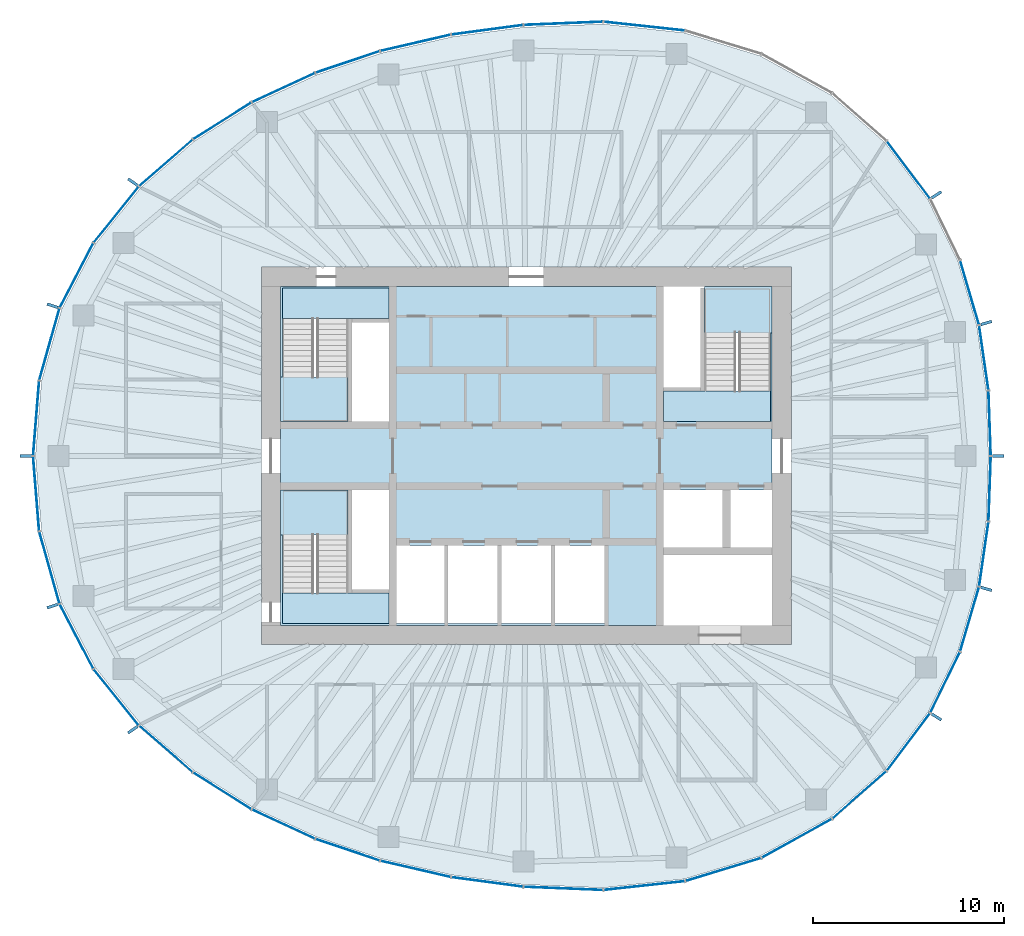
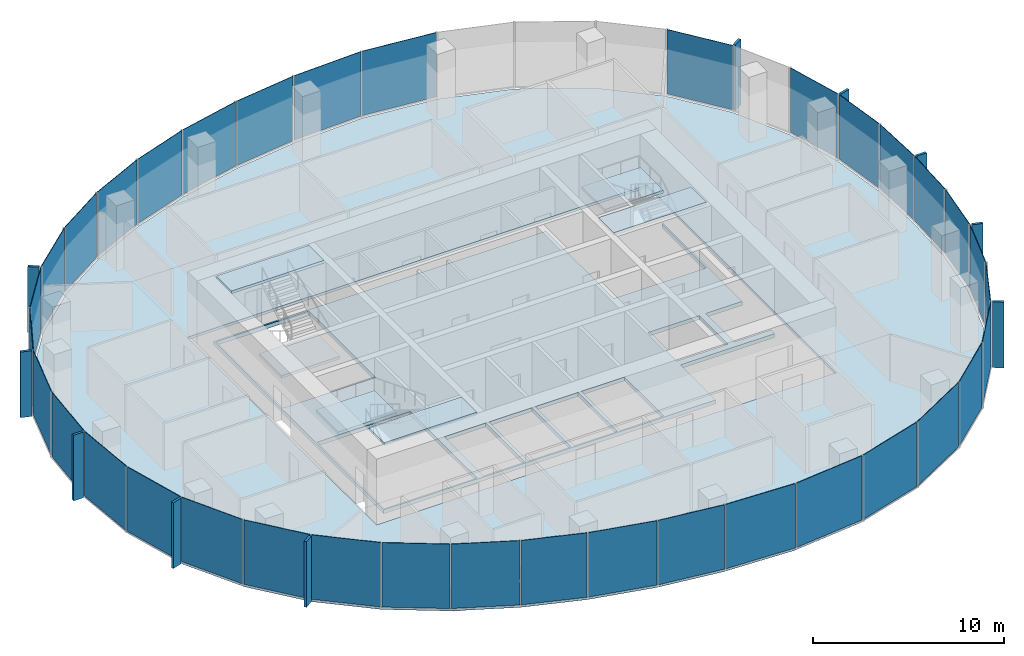
# One storey, part 7 of 12: 46 plates, 8 slabs, 22 elements without a shape of their own.
"""IFC4 building model written with IfcOpenShell, lengths in metres."""

from ifc_helpers import new_model, si_unit, direction, frame, origin, origin_2d, place, context, subcontext, project, spatial, polyline, rectangle, outline, extrude, material, layer, layer_set, type_object, element, aggregate, save


model = new_model("IFC4")

# Units and contexts
model_context = context("Model", 3, precision=1e-05, world=origin(), true_north=direction((0.0, 1.0)))
body_context = subcontext(model_context, "Body", "Model", "MODEL_VIEW")
ifc_project = project(units=[si_unit("LENGTHUNIT", "METRE"), si_unit("AREAUNIT", "SQUARE_METRE"), si_unit("VOLUMEUNIT", "CUBIC_METRE"), si_unit("PLANEANGLEUNIT", "RADIAN"), si_unit("MASSUNIT", "GRAM", prefix="KILO")], contexts=[model_context])

# Site, building, storey
site_placement = place(None, origin())
site = spatial("IfcSite", under=ifc_project, at=site_placement, CompositionType="ELEMENT")
building_placement = place(site_placement, origin())
building = spatial("IfcBuilding", under=site, at=building_placement, Name="Ghaith Harvest Tower", CompositionType="ELEMENT")
storey_placement = place(building_placement, frame((0.0, 0.0, 300.60009765625)))
storey = spatial("IfcBuildingStorey", under=building, at=storey_placement, Name="L67", CompositionType="ELEMENT", Elevation=300.60009765625)

# Curtain wall, plates
ifc_material_1 = material(Name="Black anodised aluminium and fritted glass", Category="aluminium")
curtain_wall_type = type_object("IfcCurtainWallType", Name="CW-T CURTAIN WALL", PredefinedType="NOTDEFINED", material=ifc_material_1)
curtain_wall_1_placement = place(storey_placement, origin())
curtain_wall_1 = element("IfcCurtainWall", 1, at=curtain_wall_1_placement, inside=storey, type_object=curtain_wall_type, Name="Curtain wall CW-T bay 01 L67", PredefinedType="NOTDEFINED")
ifc_material_2 = material(Name="Glass, dark solar-control fritted double glazed unit", Category="glass")
ifc_layer_1 = layer(ifc_material_2, 0.033935546875)
ifc_layer_set_1 = layer_set([ifc_layer_1], Name="CW-T VISION PANEL")
plate_type_1 = type_object("IfcPlateType", Name="CW-T VISION PANEL", PredefinedType="CURTAIN_PANEL", material=ifc_layer_set_1)
plate_1_placement = place(storey_placement, frame((24.308837890625, 1.716796875, 0.079833984375), z_axis=(0.0, 0.0, 1.0), x_axis=(-0.035536161859, 0.999368391135, 0.0)))
plate_1 = element("IfcPlate", 2, at=plate_1_placement, type_object=plate_type_1, Name="CW-T glass unit 1 bay 01 L67", PredefinedType="CURTAIN_PANEL", context=body_context, shape_type="SweptSolid", body=[
    extrude(rectangle(XDim=3.35595703125, YDim=0.033935546875, at=origin_2d()), origin(), (0.0, 0.0, 1.0), 4.1201171875),
])
plate_2_placement = place(storey_placement, frame((24.00048828125, 5.1494140625, 0.079833984375), z_axis=(0.0, 0.0, 1.0), x_axis=(-0.142729771229, 0.989761694755, 0.0)))
plate_2 = element("IfcPlate", 3, at=plate_2_placement, type_object=plate_type_1, Name="CW-T glass unit 2 bay 01 L67", PredefinedType="CURTAIN_PANEL", context=body_context, shape_type="SweptSolid", body=[
    extrude(rectangle(XDim=3.38671875, YDim=0.033935546875, at=origin_2d()), origin(), (0.0, 0.0, 1.0), 4.1201171875),
])
aggregate(curtain_wall_1, [plate_1, plate_2])

# Curtain wall, plate
curtain_wall_2_placement = place(storey_placement, origin())
curtain_wall_2 = element("IfcCurtainWall", 4, at=curtain_wall_2_placement, inside=storey, type_object=curtain_wall_type, Name="Curtain wall CW-T bay 02 L67", PredefinedType="NOTDEFINED")
plate_3_placement = place(storey_placement, frame((23.253662109375, 8.56884765625, 0.079833984375), z_axis=(0.0, 0.0, 1.0), x_axis=(-0.281344622776, 0.959606796159, 0.0)))
plate_3 = element("IfcPlate", 5, at=plate_3_placement, type_object=plate_type_1, Name="CW-T glass unit 1 bay 02 L67", PredefinedType="CURTAIN_PANEL", context=body_context, shape_type="SweptSolid", body=[
    extrude(rectangle(XDim=3.470703125, YDim=0.033935546875, at=origin_2d()), origin(), (0.0, 0.0, 1.0), 4.1201171875),
])
aggregate(curtain_wall_2, [plate_3])

curtain_wall_3_placement = place(storey_placement, origin())
curtain_wall_3 = element("IfcCurtainWall", 6, at=curtain_wall_3_placement, inside=storey, type_object=curtain_wall_type, Name="Curtain wall CW-T bay 03 L67", PredefinedType="NOTDEFINED")
plate_4_placement = place(storey_placement, frame((20.045166015625, 15.006103515625, 0.079833984375), z_axis=(0.0, 0.0, 1.0), x_axis=(-0.601047892764, 0.799213007029, 0.0)))
plate_4 = element("IfcPlate", 7, at=plate_4_placement, type_object=plate_type_1, Name="CW-T glass unit 1 bay 03 L67", PredefinedType="CURTAIN_PANEL", context=body_context, shape_type="SweptSolid", body=[
    extrude(rectangle(XDim=3.7265625, YDim=0.033935546875, at=origin_2d()), origin(), (0.0, 0.0, 1.0), 4.1201171875),
])
aggregate(curtain_wall_3, [plate_4])

# Curtain wall, plates
curtain_wall_4_placement = place(storey_placement, origin())
curtain_wall_4 = element("IfcCurtainWall", 8, at=curtain_wall_4_placement, inside=storey, type_object=curtain_wall_type, Name="Curtain wall CW-T bay 05 L67", PredefinedType="NOTDEFINED")
plate_5_placement = place(storey_placement, frame((6.188720703125, 22.542724609375, 0.079833984375), z_axis=(0.0, 0.0, 1.0), x_axis=(-0.994142883447, 0.108073712304, 0.0)))
plate_5 = element("IfcPlate", 9, at=plate_5_placement, type_object=plate_type_1, Name="CW-T glass unit 1 bay 05 L67", PredefinedType="CURTAIN_PANEL", context=body_context, shape_type="SweptSolid", body=[
    extrude(rectangle(XDim=4.24755859375, YDim=0.033935546875, at=origin_2d()), origin(), (0.0, 0.0, 1.0), 4.1201171875),
])
plate_6_placement = place(storey_placement, frame((1.94140625, 22.691162109375, 0.079833984375), z_axis=(0.0, 0.0, 1.0), x_axis=(-0.999173925852, -0.040638231968, 0.0)))
plate_6 = element("IfcPlate", 10, at=plate_6_placement, type_object=plate_type_1, Name="CW-T glass unit 2 bay 05 L67", PredefinedType="CURTAIN_PANEL", context=body_context, shape_type="SweptSolid", body=[
    extrude(rectangle(XDim=4.115966796875, YDim=0.033935546875, at=origin_2d()), origin(), (0.0, 0.0, 1.0), 4.1201171875),
])
aggregate(curtain_wall_4, [plate_5, plate_6])

curtain_wall_5_placement = place(storey_placement, origin())
curtain_wall_5 = element("IfcCurtainWall", 11, at=curtain_wall_5_placement, inside=storey, type_object=curtain_wall_type, Name="Curtain wall CW-T bay 06 L67", PredefinedType="NOTDEFINED")
plate_7_placement = place(storey_placement, frame((-2.050537109375, 22.352294921875, 0.079833984375), z_axis=(0.0, 0.0, 1.0), x_axis=(-0.991165262661, -0.132632658474, 0.0)))
plate_7 = element("IfcPlate", 12, at=plate_7_placement, type_object=plate_type_1, Name="CW-T glass unit 1 bay 06 L67", PredefinedType="CURTAIN_PANEL", context=body_context, shape_type="SweptSolid", body=[
    extrude(rectangle(XDim=3.74560546875, YDim=0.033935546875, at=origin_2d()), origin(), (0.0, 0.0, 1.0), 4.1201171875),
])
plate_8_placement = place(storey_placement, frame((-5.80859375, 21.66845703125, 0.079833984375), z_axis=(0.0, 0.0, 1.0), x_axis=(-0.974342245415, -0.225071519297, 0.0)))
plate_8 = element("IfcPlate", 13, at=plate_8_placement, type_object=plate_type_1, Name="CW-T glass unit 2 bay 06 L67", PredefinedType="CURTAIN_PANEL", context=body_context, shape_type="SweptSolid", body=[
    extrude(rectangle(XDim=3.742431640625, YDim=0.033935546875, at=origin_2d()), origin(), (0.0, 0.0, 1.0), 4.1201171875),
])
aggregate(curtain_wall_5, [plate_7, plate_8])

curtain_wall_6_placement = place(storey_placement, origin())
curtain_wall_6 = element("IfcCurtainWall", 14, at=curtain_wall_6_placement, inside=storey, type_object=curtain_wall_type, Name="Curtain wall CW-T bay 07 L67", PredefinedType="NOTDEFINED")
plate_9_placement = place(storey_placement, frame((-9.369140625, 20.665771484375, 0.079833984375), z_axis=(0.0, 0.0, 1.0), x_axis=(-0.947586403329, -0.319499621637, 0.0)))
plate_9 = element("IfcPlate", 15, at=plate_9_placement, type_object=plate_type_1, Name="CW-T glass unit 1 bay 07 L67", PredefinedType="CURTAIN_PANEL", context=body_context, shape_type="SweptSolid", body=[
    extrude(rectangle(XDim=3.50439453125, YDim=0.033935546875, at=origin_2d()), origin(), (0.0, 0.0, 1.0), 4.1201171875),
])
plate_10_placement = place(storey_placement, frame((-12.736083984375, 19.3203125, 0.079833984375), z_axis=(0.0, 0.0, 1.0), x_axis=(-0.907450165401, -0.420159728334, 0.0)))
plate_10 = element("IfcPlate", 16, at=plate_10_placement, type_object=plate_type_1, Name="CW-T glass unit 2 bay 07 L67", PredefinedType="CURTAIN_PANEL", context=body_context, shape_type="SweptSolid", body=[
    extrude(rectangle(XDim=3.597900390625, YDim=0.033935546875, at=origin_2d()), origin(), (0.0, 0.0, 1.0), 4.1201171875),
])
aggregate(curtain_wall_6, [plate_9, plate_10])

curtain_wall_7_placement = place(storey_placement, origin())
curtain_wall_7 = element("IfcCurtainWall", 17, at=curtain_wall_7_placement, inside=storey, type_object=curtain_wall_type, Name="Curtain wall CW-T bay 08 L67", PredefinedType="NOTDEFINED")
plate_11_placement = place(storey_placement, frame((-15.94970703125, 17.57421875, 0.079833984375), z_axis=(0.0, 0.0, 1.0), x_axis=(-0.846043473903, -0.533113909279, 0.0)))
plate_11 = element("IfcPlate", 18, at=plate_11_placement, type_object=plate_type_1, Name="CW-T glass unit 1 bay 08 L67", PredefinedType="CURTAIN_PANEL", context=body_context, shape_type="SweptSolid", body=[
    extrude(rectangle(XDim=3.572021484375, YDim=0.033935546875, at=origin_2d()), origin(), (0.0, 0.0, 1.0), 4.1201171875),
])
plate_12_placement = place(storey_placement, frame((-18.909423828125, 15.371337890625, 0.079833984375), z_axis=(0.0, 0.0, 1.0), x_axis=(-0.754828549513, -0.655922145411, 0.0)))
plate_12 = element("IfcPlate", 19, at=plate_12_placement, type_object=plate_type_1, Name="CW-T glass unit 2 bay 08 L67", PredefinedType="CURTAIN_PANEL", context=body_context, shape_type="SweptSolid", body=[
    extrude(rectangle(XDim=3.668701171875, YDim=0.033935546875, at=origin_2d()), origin(), (0.0, 0.0, 1.0), 4.1201171875),
])
aggregate(curtain_wall_7, [plate_11, plate_12])

curtain_wall_8_placement = place(storey_placement, origin())
curtain_wall_8 = element("IfcCurtainWall", 20, at=curtain_wall_8_placement, inside=storey, type_object=curtain_wall_type, Name="Curtain wall CW-T bay 09 L67", PredefinedType="NOTDEFINED")
plate_13_placement = place(storey_placement, frame((-21.515380859375, 12.6591796875, 0.079833984375), z_axis=(0.0, 0.0, 1.0), x_axis=(-0.626229505742, -0.779638766441, 0.0)))
plate_13 = element("IfcPlate", 21, at=plate_13_placement, type_object=plate_type_1, Name="CW-T glass unit 1 bay 09 L67", PredefinedType="CURTAIN_PANEL", context=body_context, shape_type="SweptSolid", body=[
    extrude(rectangle(XDim=3.723388671875, YDim=0.033935546875, at=origin_2d()), origin(), (0.0, 0.0, 1.0), 4.1201171875),
])
plate_14_placement = place(storey_placement, frame((-23.594482421875, 9.4677734375, 0.079833984375), z_axis=(0.0, 0.0, 1.0), x_axis=(-0.461229945578, -0.887280641794, 0.0)))
plate_14 = element("IfcPlate", 22, at=plate_14_placement, type_object=plate_type_1, Name="CW-T glass unit 2 bay 09 L67", PredefinedType="CURTAIN_PANEL", context=body_context, shape_type="SweptSolid", body=[
    extrude(rectangle(XDim=3.771728515625, YDim=0.033935546875, at=origin_2d()), origin(), (0.0, 0.0, 1.0), 4.1201171875),
])
aggregate(curtain_wall_8, [plate_13, plate_14])

curtain_wall_9_placement = place(storey_placement, origin())
curtain_wall_9 = element("IfcCurtainWall", 23, at=curtain_wall_9_placement, inside=storey, type_object=curtain_wall_type, Name="Curtain wall CW-T bay 10 L67", PredefinedType="NOTDEFINED")
plate_15_placement = place(storey_placement, frame((-25.017333984375, 5.85546875, 0.079833984375), z_axis=(0.0, 0.0, 1.0), x_axis=(-0.270355239749, -0.962760637095, 0.0)))
plate_15 = element("IfcPlate", 24, at=plate_15_placement, type_object=plate_type_1, Name="CW-T glass unit 1 bay 10 L67", PredefinedType="CURTAIN_PANEL", context=body_context, shape_type="SweptSolid", body=[
    extrude(rectangle(XDim=3.874267578125, YDim=0.033935546875, at=origin_2d()), origin(), (0.0, 0.0, 1.0), 4.1201171875),
])
plate_16_placement = place(storey_placement, frame((-25.7109375, 1.97607421875, 0.079833984375), z_axis=(0.0, 0.0, 1.0), x_axis=(-0.080257648011, -0.99677415192, 0.0)))
plate_16 = element("IfcPlate", 25, at=plate_16_placement, type_object=plate_type_1, Name="CW-T glass unit 2 bay 10 L67", PredefinedType="CURTAIN_PANEL", context=body_context, shape_type="SweptSolid", body=[
    extrude(rectangle(XDim=3.884765625, YDim=0.033935546875, at=origin_2d()), origin(), (0.0, 0.0, 1.0), 4.1201171875),
])
aggregate(curtain_wall_9, [plate_15, plate_16])

curtain_wall_10_placement = place(storey_placement, origin())
curtain_wall_10 = element("IfcCurtainWall", 26, at=curtain_wall_10_placement, inside=storey, type_object=curtain_wall_type, Name="Curtain wall CW-T bay 11 L67", PredefinedType="NOTDEFINED")
plate_17_placement = place(storey_placement, frame((-25.7109375, -1.97607421875, 0.079833984375), z_axis=(0.0, 0.0, 1.0), x_axis=(0.080257648324, -0.996774151895, 0.0)))
plate_17 = element("IfcPlate", 27, at=plate_17_placement, type_object=plate_type_1, Name="CW-T glass unit 1 bay 11 L67", PredefinedType="CURTAIN_PANEL", context=body_context, shape_type="SweptSolid", body=[
    extrude(rectangle(XDim=3.884765625, YDim=0.033935546875, at=origin_2d()), origin(), (0.0, 0.0, 1.0), 4.1201171875),
])
plate_18_placement = place(storey_placement, frame((-25.017333984375, -5.85546875, 0.079833984375), z_axis=(0.0, 0.0, 1.0), x_axis=(0.27035523953, -0.962760637157, 0.0)))
plate_18 = element("IfcPlate", 28, at=plate_18_placement, type_object=plate_type_1, Name="CW-T glass unit 2 bay 11 L67", PredefinedType="CURTAIN_PANEL", context=body_context, shape_type="SweptSolid", body=[
    extrude(rectangle(XDim=3.874267578125, YDim=0.033935546875, at=origin_2d()), origin(), (0.0, 0.0, 1.0), 4.1201171875),
])
aggregate(curtain_wall_10, [plate_17, plate_18])

curtain_wall_11_placement = place(storey_placement, origin())
curtain_wall_11 = element("IfcCurtainWall", 29, at=curtain_wall_11_placement, inside=storey, type_object=curtain_wall_type, Name="Curtain wall CW-T bay 12 L67", PredefinedType="NOTDEFINED")
plate_19_placement = place(storey_placement, frame((-23.594482421875, -9.4677734375, 0.079833984375), z_axis=(0.0, 0.0, 1.0), x_axis=(0.461229945377, -0.887280641898, 0.0)))
plate_19 = element("IfcPlate", 30, at=plate_19_placement, type_object=plate_type_1, Name="CW-T glass unit 1 bay 12 L67", PredefinedType="CURTAIN_PANEL", context=body_context, shape_type="SweptSolid", body=[
    extrude(rectangle(XDim=3.771728515625, YDim=0.033935546875, at=origin_2d()), origin(), (0.0, 0.0, 1.0), 4.1201171875),
])
plate_20_placement = place(storey_placement, frame((-21.515380859375, -12.6591796875, 0.079833984375), z_axis=(0.0, 0.0, 1.0), x_axis=(0.626229505565, -0.779638766583, 0.0)))
plate_20 = element("IfcPlate", 31, at=plate_20_placement, type_object=plate_type_1, Name="CW-T glass unit 2 bay 12 L67", PredefinedType="CURTAIN_PANEL", context=body_context, shape_type="SweptSolid", body=[
    extrude(rectangle(XDim=3.723388671875, YDim=0.033935546875, at=origin_2d()), origin(), (0.0, 0.0, 1.0), 4.1201171875),
])
aggregate(curtain_wall_11, [plate_19, plate_20])

curtain_wall_12_placement = place(storey_placement, origin())
curtain_wall_12 = element("IfcCurtainWall", 32, at=curtain_wall_12_placement, inside=storey, type_object=curtain_wall_type, Name="Curtain wall CW-T bay 13 L67", PredefinedType="NOTDEFINED")
plate_21_placement = place(storey_placement, frame((-18.909423828125, -15.371337890625, 0.079833984375), z_axis=(0.0, 0.0, 1.0), x_axis=(0.754828549376, -0.655922145569, 0.0)))
plate_21 = element("IfcPlate", 33, at=plate_21_placement, type_object=plate_type_1, Name="CW-T glass unit 1 bay 13 L67", PredefinedType="CURTAIN_PANEL", context=body_context, shape_type="SweptSolid", body=[
    extrude(rectangle(XDim=3.668701171875, YDim=0.033935546875, at=origin_2d()), origin(), (0.0, 0.0, 1.0), 4.1201171875),
])
plate_22_placement = place(storey_placement, frame((-15.94970703125, -17.57421875, 0.079833984375), z_axis=(0.0, 0.0, 1.0), x_axis=(0.846043474052, -0.533113909042, 0.0)))
plate_22 = element("IfcPlate", 34, at=plate_22_placement, type_object=plate_type_1, Name="CW-T glass unit 2 bay 13 L67", PredefinedType="CURTAIN_PANEL", context=body_context, shape_type="SweptSolid", body=[
    extrude(rectangle(XDim=3.572021484375, YDim=0.033935546875, at=origin_2d()), origin(), (0.0, 0.0, 1.0), 4.1201171875),
])
aggregate(curtain_wall_12, [plate_21, plate_22])

curtain_wall_13_placement = place(storey_placement, origin())
curtain_wall_13 = element("IfcCurtainWall", 35, at=curtain_wall_13_placement, inside=storey, type_object=curtain_wall_type, Name="Curtain wall CW-T bay 14 L67", PredefinedType="NOTDEFINED")
plate_23_placement = place(storey_placement, frame((-12.736083984375, -19.3203125, 0.079833984375), z_axis=(0.0, 0.0, 1.0), x_axis=(0.907450165812, -0.420159727447, 0.0)))
plate_23 = element("IfcPlate", 36, at=plate_23_placement, type_object=plate_type_1, Name="CW-T glass unit 1 bay 14 L67", PredefinedType="CURTAIN_PANEL", context=body_context, shape_type="SweptSolid", body=[
    extrude(rectangle(XDim=3.597900390625, YDim=0.033935546875, at=origin_2d()), origin(), (0.0, 0.0, 1.0), 4.1201171875),
])
plate_24_placement = place(storey_placement, frame((-9.369140625, -20.665771484375, 0.079833984375), z_axis=(0.0, 0.0, 1.0), x_axis=(0.947586403597, -0.319499620843, 0.0)))
plate_24 = element("IfcPlate", 37, at=plate_24_placement, type_object=plate_type_1, Name="CW-T glass unit 2 bay 14 L67", PredefinedType="CURTAIN_PANEL", context=body_context, shape_type="SweptSolid", body=[
    extrude(rectangle(XDim=3.50439453125, YDim=0.033935546875, at=origin_2d()), origin(), (0.0, 0.0, 1.0), 4.1201171875),
])
aggregate(curtain_wall_13, [plate_23, plate_24])

curtain_wall_14_placement = place(storey_placement, origin())
curtain_wall_14 = element("IfcCurtainWall", 38, at=curtain_wall_14_placement, inside=storey, type_object=curtain_wall_type, Name="Curtain wall CW-T bay 15 L67", PredefinedType="NOTDEFINED")
plate_25_placement = place(storey_placement, frame((-5.80859375, -21.66845703125, 0.079833984375), z_axis=(0.0, 0.0, 1.0), x_axis=(0.974342245521, -0.225071518838, 0.0)))
plate_25 = element("IfcPlate", 39, at=plate_25_placement, type_object=plate_type_1, Name="CW-T glass unit 1 bay 15 L67", PredefinedType="CURTAIN_PANEL", context=body_context, shape_type="SweptSolid", body=[
    extrude(rectangle(XDim=3.742431640625, YDim=0.033935546875, at=origin_2d()), origin(), (0.0, 0.0, 1.0), 4.1201171875),
])
plate_26_placement = place(storey_placement, frame((-2.050537109375, -22.352294921875, 0.079833984375), z_axis=(0.0, 0.0, 1.0), x_axis=(0.991165262684, -0.132632658301, 0.0)))
plate_26 = element("IfcPlate", 40, at=plate_26_placement, type_object=plate_type_1, Name="CW-T glass unit 2 bay 15 L67", PredefinedType="CURTAIN_PANEL", context=body_context, shape_type="SweptSolid", body=[
    extrude(rectangle(XDim=3.74560546875, YDim=0.033935546875, at=origin_2d()), origin(), (0.0, 0.0, 1.0), 4.1201171875),
])
aggregate(curtain_wall_14, [plate_25, plate_26])

curtain_wall_15_placement = place(storey_placement, origin())
curtain_wall_15 = element("IfcCurtainWall", 41, at=curtain_wall_15_placement, inside=storey, type_object=curtain_wall_type, Name="Curtain wall CW-T bay 16 L67", PredefinedType="NOTDEFINED")
plate_27_placement = place(storey_placement, frame((1.94140625, -22.691162109375, 0.079833984375), z_axis=(0.0, 0.0, 1.0), x_axis=(0.999173925863, -0.040638231706, 0.0)))
plate_27 = element("IfcPlate", 42, at=plate_27_placement, type_object=plate_type_1, Name="CW-T glass unit 1 bay 16 L67", PredefinedType="CURTAIN_PANEL", context=body_context, shape_type="SweptSolid", body=[
    extrude(rectangle(XDim=4.115966796875, YDim=0.033935546875, at=origin_2d()), origin(), (0.0, 0.0, 1.0), 4.1201171875),
])
plate_28_placement = place(storey_placement, frame((6.188720703125, -22.542724609375, 0.079833984375), z_axis=(0.0, 0.0, 1.0), x_axis=(0.994142883417, 0.108073712581, 0.0)))
plate_28 = element("IfcPlate", 43, at=plate_28_placement, type_object=plate_type_1, Name="CW-T glass unit 2 bay 16 L67", PredefinedType="CURTAIN_PANEL", context=body_context, shape_type="SweptSolid", body=[
    extrude(rectangle(XDim=4.24755859375, YDim=0.033935546875, at=origin_2d()), origin(), (0.0, 0.0, 1.0), 4.1201171875),
])
aggregate(curtain_wall_15, [plate_27, plate_28])

curtain_wall_16_placement = place(storey_placement, origin())
curtain_wall_16 = element("IfcCurtainWall", 44, at=curtain_wall_16_placement, inside=storey, type_object=curtain_wall_type, Name="Curtain wall CW-T bay 17 L67", PredefinedType="NOTDEFINED")
plate_29_placement = place(storey_placement, frame((10.337158203125, -21.700439453125, 0.079833984375), z_axis=(0.0, 0.0, 1.0), x_axis=(0.956587736012, 0.291444511548, 0.0)))
plate_29 = element("IfcPlate", 45, at=plate_29_placement, type_object=plate_type_1, Name="CW-T glass unit 1 bay 17 L67", PredefinedType="CURTAIN_PANEL", context=body_context, shape_type="SweptSolid", body=[
    extrude(rectangle(XDim=4.095703125, YDim=0.033935546875, at=origin_2d()), origin(), (0.0, 0.0, 1.0), 4.1201171875),
])
plate_30_placement = place(storey_placement, frame((14.19189453125, -20.06201171875, 0.079833984375), z_axis=(0.0, 0.0, 1.0), x_axis=(0.874564022715, 0.484910064004, 0.0)))
plate_30 = element("IfcPlate", 46, at=plate_30_placement, type_object=plate_type_1, Name="CW-T glass unit 2 bay 17 L67", PredefinedType="CURTAIN_PANEL", context=body_context, shape_type="SweptSolid", body=[
    extrude(rectangle(XDim=4.167724609375, YDim=0.033935546875, at=origin_2d()), origin(), (0.0, 0.0, 1.0), 4.1201171875),
])
aggregate(curtain_wall_16, [plate_29, plate_30])

curtain_wall_17_placement = place(storey_placement, origin())
curtain_wall_17 = element("IfcCurtainWall", 47, at=curtain_wall_17_placement, inside=storey, type_object=curtain_wall_type, Name="Curtain wall CW-T bay 18 L67", PredefinedType="NOTDEFINED")
plate_31_placement = place(storey_placement, frame((17.47509765625, -17.779541015625, 0.079833984375), z_axis=(0.0, 0.0, 1.0), x_axis=(0.751334532577, 0.659921525757, 0.0)))
plate_31 = element("IfcPlate", 48, at=plate_31_placement, type_object=plate_type_1, Name="CW-T glass unit 1 bay 18 L67", PredefinedType="CURTAIN_PANEL", context=body_context, shape_type="SweptSolid", body=[
    extrude(rectangle(XDim=3.7158203125, YDim=0.033935546875, at=origin_2d()), origin(), (0.0, 0.0, 1.0), 4.1201171875),
])
plate_32_placement = place(storey_placement, frame((20.045166015625, -15.006103515625, 0.079833984375), z_axis=(0.0, 0.0, 1.0), x_axis=(0.601047892945, 0.799213006892, 0.0)))
plate_32 = element("IfcPlate", 49, at=plate_32_placement, type_object=plate_type_1, Name="CW-T glass unit 2 bay 18 L67", PredefinedType="CURTAIN_PANEL", context=body_context, shape_type="SweptSolid", body=[
    extrude(rectangle(XDim=3.7265625, YDim=0.033935546875, at=origin_2d()), origin(), (0.0, 0.0, 1.0), 4.1201171875),
])
aggregate(curtain_wall_17, [plate_31, plate_32])

curtain_wall_18_placement = place(storey_placement, origin())
curtain_wall_18 = element("IfcCurtainWall", 50, at=curtain_wall_18_placement, inside=storey, type_object=curtain_wall_type, Name="Curtain wall CW-T bay 19 L67", PredefinedType="NOTDEFINED")
plate_33_placement = place(storey_placement, frame((21.9716796875, -11.878662109375, 0.079833984375), z_axis=(0.0, 0.0, 1.0), x_axis=(0.437968365352, 0.898990384237, 0.0)))
plate_33 = element("IfcPlate", 51, at=plate_33_placement, type_object=plate_type_1, Name="CW-T glass unit 1 bay 19 L67", PredefinedType="CURTAIN_PANEL", context=body_context, shape_type="SweptSolid", body=[
    extrude(rectangle(XDim=3.49365234375, YDim=0.033935546875, at=origin_2d()), origin(), (0.0, 0.0, 1.0), 4.1201171875),
])
plate_34_placement = place(storey_placement, frame((23.253662109375, -8.56884765625, 0.079833984375), z_axis=(0.0, 0.0, 1.0), x_axis=(0.281344622977, 0.9596067961, 0.0)))
plate_34 = element("IfcPlate", 52, at=plate_34_placement, type_object=plate_type_1, Name="CW-T glass unit 2 bay 19 L67", PredefinedType="CURTAIN_PANEL", context=body_context, shape_type="SweptSolid", body=[
    extrude(rectangle(XDim=3.470703125, YDim=0.033935546875, at=origin_2d()), origin(), (0.0, 0.0, 1.0), 4.1201171875),
])
aggregate(curtain_wall_18, [plate_33, plate_34])

curtain_wall_19_placement = place(storey_placement, origin())
curtain_wall_19 = element("IfcCurtainWall", 53, at=curtain_wall_19_placement, inside=storey, type_object=curtain_wall_type, Name="Curtain wall CW-T bay 20 L67", PredefinedType="NOTDEFINED")
plate_35_placement = place(storey_placement, frame((24.00048828125, -5.1494140625, 0.079833984375), z_axis=(0.0, 0.0, 1.0), x_axis=(0.142729771402, 0.98976169473, 0.0)))
plate_35 = element("IfcPlate", 54, at=plate_35_placement, type_object=plate_type_1, Name="CW-T glass unit 1 bay 20 L67", PredefinedType="CURTAIN_PANEL", context=body_context, shape_type="SweptSolid", body=[
    extrude(rectangle(XDim=3.38671875, YDim=0.033935546875, at=origin_2d()), origin(), (0.0, 0.0, 1.0), 4.1201171875),
])
plate_36_placement = place(storey_placement, frame((24.308837890625, -1.716796875, 0.079833984375), z_axis=(0.0, 0.0, 1.0), x_axis=(0.035536161929, 0.999368391133, 0.0)))
plate_36 = element("IfcPlate", 55, at=plate_36_placement, type_object=plate_type_1, Name="CW-T glass unit 2 bay 20 L67", PredefinedType="CURTAIN_PANEL", context=body_context, shape_type="SweptSolid", body=[
    extrude(rectangle(XDim=3.35595703125, YDim=0.033935546875, at=origin_2d()), origin(), (0.0, 0.0, 1.0), 4.1201171875),
])
aggregate(curtain_wall_19, [plate_35, plate_36])

# Slabs
ifc_material_3 = material(Name="Concrete C40/50", Category="concrete")
ifc_layer_2 = layer(ifc_material_3, 0.169921875)
ifc_layer_set_2 = layer_set([ifc_layer_2], Name="FLOOR SLAB 170")
slab_type_1 = type_object("IfcSlabType", Name="FLOOR SLAB 170", PredefinedType="FLOOR", material=ifc_layer_set_2)
slab_1_placement = place(storey_placement, frame((0.0, 0.0, -0.170166015625)))
element("IfcSlab", 56, at=slab_1_placement, inside=storey, type_object=slab_type_1, Name="Floor slab L67", PredefinedType="FLOOR", context=body_context, shape_type="SweptSolid", body=[
    extrude(outline(polyline([(24.25, 0.0), (24.129150390625, 3.4169921875), (23.6376953125, 6.831787109375), (22.644775390625, 10.222900390625), (21.087890625, 13.42041015625), (18.810791015625, 16.4482421875), (15.971923828125, 18.940185546875), (12.273681640625, 20.98828125), (8.2978515625, 22.1962890625), (4.016845703125, 22.658447265625), (-0.15380859375, 22.486083984375), (-3.92529296875, 21.98046875), (-7.6298828125, 21.12548828125), (-11.009521484375, 19.98779296875), (-14.331298828125, 18.452880859375), (-17.40771484375, 16.518310546875), (-20.225830078125, 14.0732421875), (-22.5986328125, 11.12353515625), (-24.368408203125, 7.722900390625), (-25.43310546875, 3.93359375), (-25.75, 0.0), (-25.43310546875, -3.93359375), (-24.368408203125, -7.722900390625), (-22.5986328125, -11.12353515625), (-20.225830078125, -14.0732421875), (-17.40771484375, -16.518310546875), (-14.331298828125, -18.452880859375), (-11.009521484375, -19.98779296875), (-7.6298828125, -21.12548828125), (-3.92529296875, -21.98046875), (-0.15380859375, -22.486083984375), (4.016845703125, -22.658447265625), (8.2978515625, -22.1962890625), (12.273681640625, -20.98828125), (15.971923828125, -18.940185546875), (18.810791015625, -16.4482421875), (21.087890625, -13.42041015625), (22.644775390625, -10.222900390625), (23.6376953125, -6.831787109375), (24.129150390625, -3.4169921875), (24.25, 0.0)]), holes=[polyline([(-13.89990234375, -9.89990234375), (13.89990234375, -9.89990234375), (13.89990234375, 9.89990234375), (-13.89990234375, 9.89990234375), (-13.89990234375, -9.89990234375)])]), origin(), (0.0, 0.0, 1.0), 0.170166015625),
])
ifc_material_4 = material(Name="Concrete C40/50", Category="concrete")
ifc_layer_3 = layer(ifc_material_4, 0.25)
ifc_layer_set_3 = layer_set([ifc_layer_3], Name="FLOOR SLAB 250")
slab_type_2 = type_object("IfcSlabType", Name="FLOOR SLAB 250", PredefinedType="FLOOR", material=ifc_layer_set_3)
slab_2_placement = place(storey_placement, frame((0.0, 0.0, -0.25)))
element("IfcSlab", 57, at=slab_2_placement, inside=storey, type_object=slab_type_2, Name="Core slab L67", PredefinedType="FLOOR", context=body_context, shape_type="SweptSolid", body=[
    extrude(outline(polyline([(-12.89990234375, 8.89990234375), (7.199951171875, 8.89990234375), (7.199951171875, 1.800048828125), (12.800048828125, 1.800048828125), (12.800048828125, 6.4599609375), (12.89990234375, 6.4599609375), (12.89990234375, -1.800048828125), (10.699951171875, -1.800048828125), (10.699951171875, -4.800048828125), (12.89990234375, -4.800048828125), (12.89990234375, -5.199951171875), (7.199951171875, -5.199951171875), (7.199951171875, -8.89990234375), (-12.89990234375, -8.89990234375), (-12.89990234375, 8.89990234375)]), holes=[polyline([(-4.300048828125, -4.699951171875), (-6.800048828125, -4.699951171875), (-6.800048828125, -8.800048828125), (-4.300048828125, -8.800048828125), (-4.300048828125, -4.699951171875)]), polyline([(-1.5, -4.699951171875), (-4.10009765625, -4.699951171875), (-4.10009765625, -8.800048828125), (-1.5, -8.800048828125), (-1.5, -4.699951171875)]), polyline([(1.300048828125, -8.800048828125), (1.300048828125, -4.699951171875), (-1.300048828125, -4.699951171875), (-1.300048828125, -8.800048828125), (1.300048828125, -8.800048828125)]), polyline([(4.10009765625, -8.800048828125), (4.10009765625, -4.699951171875), (1.5, -4.699951171875), (1.5, -8.800048828125), (4.10009765625, -8.800048828125)]), polyline([(-7.199951171875, -1.800048828125), (-12.800048828125, -1.800048828125), (-12.800048828125, -8.800048828125), (-7.199951171875, -8.800048828125), (-7.199951171875, -1.800048828125)]), polyline([(10.300048828125, -1.800048828125), (7.199951171875, -1.800048828125), (7.199951171875, -4.800048828125), (10.300048828125, -4.800048828125), (10.300048828125, -1.800048828125)]), polyline([(-12.800048828125, 1.800048828125), (-7.199951171875, 1.800048828125), (-7.199951171875, 8.800048828125), (-12.800048828125, 8.800048828125), (-12.800048828125, 1.800048828125)])]), origin(), (0.0, 0.0, 1.0), 0.25),
])

# Stair, slabs
ifc_material_5 = material(Name="Concrete C40/50, precast", Category="concrete")
stair_type = type_object("IfcStairType", Name="CORE STAIR 24R", PredefinedType="HALF_TURN_STAIR", material=ifc_material_5)
stair_1_placement = place(storey_placement, origin())
stair_1 = element("IfcStair", 58, at=stair_1_placement, inside=storey, type_object=stair_type, Name="Stair ST1 L67", PredefinedType="HALF_TURN_STAIR")
ifc_material_6 = material(Name="Concrete C40/50, precast", Category="concrete")
ifc_layer_4 = layer(ifc_material_6, 0.179931640625)
ifc_layer_set_4 = layer_set([ifc_layer_4], Name="STAIR LANDING 180")
slab_type_3 = type_object("IfcSlabType", Name="STAIR LANDING 180", PredefinedType="LANDING", material=ifc_layer_set_4)
slab_3_placement = place(storey_placement, frame((0.0, 0.0, 1.919921875)))
slab_3 = element("IfcSlab", 59, at=slab_3_placement, type_object=slab_type_3, Name="ST1 landing 1", PredefinedType="LANDING", context=body_context, shape_type="SweptSolid", body=[
    extrude(outline(polyline([(-12.89990234375, 4.139892578125), (-12.89990234375, 1.800048828125), (-9.35009765625, 1.800048828125), (-9.35009765625, 4.139892578125), (-12.89990234375, 4.139892578125)])), origin(), (0.0, 0.0, 1.0), 0.179931640625),
])
slab_4_placement = place(storey_placement, frame((0.0, 0.0, 4.02001953125)))
slab_4 = element("IfcSlab", 60, at=slab_4_placement, type_object=slab_type_3, Name="ST1 landing 2", PredefinedType="LANDING", context=body_context, shape_type="SweptSolid", body=[
    extrude(outline(polyline([(-12.800048828125, 8.800048828125), (-12.800048828125, 7.199951171875), (-7.199951171875, 7.199951171875), (-7.199951171875, 8.800048828125), (-12.800048828125, 8.800048828125)])), origin(), (0.0, 0.0, 1.0), 0.179931640625),
])
aggregate(stair_1, [slab_3, slab_4])

stair_2_placement = place(storey_placement, origin())
stair_2 = element("IfcStair", 61, at=stair_2_placement, inside=storey, type_object=stair_type, Name="Stair ST3 L67", PredefinedType="HALF_TURN_STAIR")
slab_5_placement = place(storey_placement, frame((0.0, 0.0, 1.919921875)))
slab_5 = element("IfcSlab", 62, at=slab_5_placement, type_object=slab_type_3, Name="ST3 landing 1", PredefinedType="LANDING", context=body_context, shape_type="SweptSolid", body=[
    extrude(outline(polyline([(-12.89990234375, -4.139892578125), (-12.89990234375, -1.800048828125), (-9.35009765625, -1.800048828125), (-9.35009765625, -4.139892578125), (-12.89990234375, -4.139892578125)])), origin(), (0.0, 0.0, 1.0), 0.179931640625),
])
slab_6_placement = place(storey_placement, frame((0.0, 0.0, 4.02001953125)))
slab_6 = element("IfcSlab", 63, at=slab_6_placement, type_object=slab_type_3, Name="ST3 landing 2", PredefinedType="LANDING", context=body_context, shape_type="SweptSolid", body=[
    extrude(outline(polyline([(-12.800048828125, -8.800048828125), (-12.800048828125, -7.199951171875), (-7.199951171875, -7.199951171875), (-7.199951171875, -8.800048828125), (-12.800048828125, -8.800048828125)])), origin(), (0.0, 0.0, 1.0), 0.179931640625),
])
aggregate(stair_2, [slab_5, slab_6])

stair_3_placement = place(storey_placement, origin())
stair_3 = element("IfcStair", 64, at=stair_3_placement, inside=storey, type_object=stair_type, Name="Stair ST2 L67", PredefinedType="HALF_TURN_STAIR")
slab_7_placement = place(storey_placement, frame((0.0, 0.0, 1.919921875)))
slab_7 = element("IfcSlab", 65, at=slab_7_placement, type_object=slab_type_3, Name="ST2 landing 1", PredefinedType="LANDING", context=body_context, shape_type="SweptSolid", body=[
    extrude(outline(polyline([(12.89990234375, 6.4599609375), (12.89990234375, 8.89990234375), (9.35009765625, 8.89990234375), (9.35009765625, 6.4599609375), (12.89990234375, 6.4599609375)])), origin(), (0.0, 0.0, 1.0), 0.179931640625),
])
slab_8_placement = place(storey_placement, frame((0.0, 0.0, 4.02001953125)))
slab_8 = element("IfcSlab", 66, at=slab_8_placement, type_object=slab_type_3, Name="ST2 landing 2", PredefinedType="LANDING", context=body_context, shape_type="SweptSolid", body=[
    extrude(outline(polyline([(12.800048828125, 1.800048828125), (12.800048828125, 3.39990234375), (7.199951171875, 3.39990234375), (7.199951171875, 1.800048828125), (12.800048828125, 1.800048828125)])), origin(), (0.0, 0.0, 1.0), 0.179931640625),
])
aggregate(stair_3, [slab_7, slab_8])

# Plates
ifc_material_7 = material(Name="Glassfibre-reinforced concrete", Category="concrete")
ifc_layer_5 = layer(ifc_material_7, 0.14990234375)
ifc_layer_set_5 = layer_set([ifc_layer_5], Name="SUN-BREAKER FIN 600x150")
plate_type_2 = type_object("IfcPlateType", Name="SUN-BREAKER FIN 600x150", PredefinedType="USERDEFINED", material=ifc_layer_set_5)
for number, where, z_axis, x_axis, name in (
    (67, (24.760009765625, 0.0, 0.0), (0.0, 0.0, 1.0), (1.0, 0.0, 0.0), "Sun-breaker fin CW-T 1 bay 01 L67"),
    (68, (24.127685546875, 6.973388671875, 0.0), (0.0, 0.0, 1.0), (0.960680349985, 0.277656739792, 0.0), "Sun-breaker fin CW-T 1 bay 02 L67"),
    (69, (21.51806640625, 13.6943359375, 0.0), (0.0, 0.0, 1.0), (0.843643971464, 0.536903016766, 0.0), "Sun-breaker fin CW-T 1 bay 03 L67"),
    (70, (-20.64453125, 14.364501953125, 0.0), (0.0, 0.0, 1.0), (-0.820845486523, 0.571150319316, 0.0), "Sun-breaker fin CW-T 1 bay 09 L67"),
    (71, (-24.8544921875, 7.876708984375, 0.0), (0.0, 0.0, 1.0), (-0.953273219358, 0.302109531884, 0.0), "Sun-breaker fin CW-T 1 bay 10 L67"),
    (72, (-26.260009765625, 0.0, 0.0), (0.0, 0.0, 1.0), (-1.0, -4.19e-10, 0.0), "Sun-breaker fin CW-T 1 bay 11 L67"),
    (73, (-24.8544921875, -7.876708984375, 0.0), (0.0, 0.0, 1.0), (-0.953273219416, -0.302109531701, 0.0), "Sun-breaker fin CW-T 1 bay 12 L67"),
    (74, (-20.64453125, -14.364501953125, 0.0), (0.0, 0.0, 1.0), (-0.820845486622, -0.571150319173, 0.0), "Sun-breaker fin CW-T 1 bay 13 L67"),
    (75, (21.51806640625, -13.6943359375, 0.0), (0.0, 0.0, 1.0), (0.84364397137, -0.536903016913, 0.0), "Sun-breaker fin CW-T 1 bay 19 L67"),
    (76, (24.127685546875, -6.973388671875, 0.0), (0.0, 0.0, 1.0), (0.960680349932, -0.277656739976, 0.0), "Sun-breaker fin CW-T 1 bay 20 L67"),
):
    element("IfcPlate", number, at=place(storey_placement, frame(where, z_axis=z_axis, x_axis=x_axis)), inside=storey, type_object=plate_type_2, Name=name, ObjectType="SUN-BREAKER FIN", PredefinedType="USERDEFINED", context=body_context, shape_type="SweptSolid", body=[
        extrude(rectangle(XDim=0.60009765625, YDim=0.14990234375, at=origin_2d()), origin(), (0.0, 0.0, 1.0), 4.199951171875),
    ])

save(model, "model.ifc")
